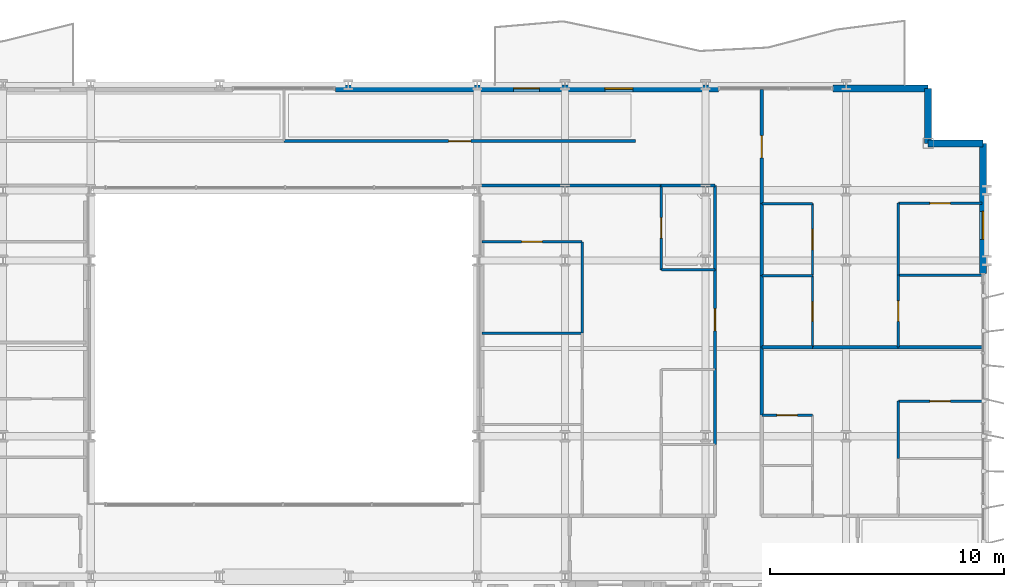
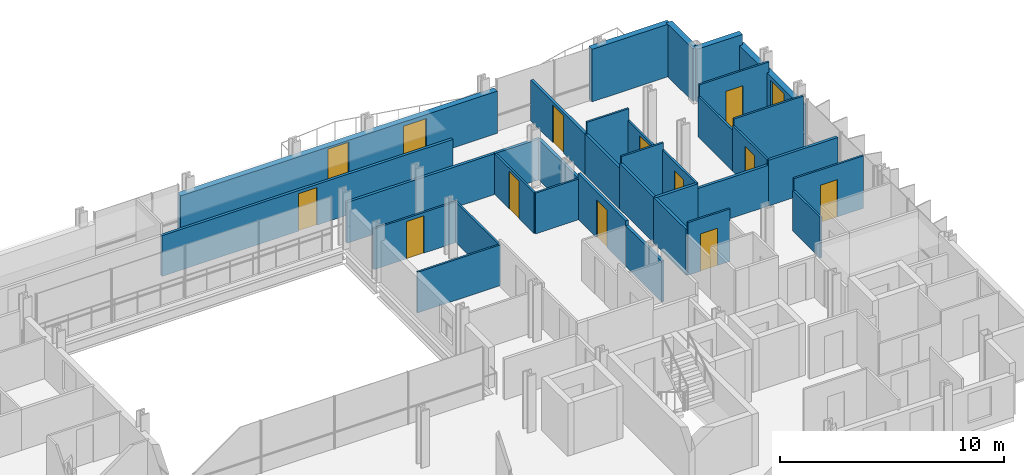
# One storey, part 32 of 38: 34 walls, 12 doors, 2 windows, 14 openings.
"""IFC4 building model written with IfcOpenShell, lengths in metres."""

from ifc_helpers import new_model, si_unit, direction, frame, frame_2d, origin, place, context, subcontext, project, spatial, rectangle, extrude, material, layer, layer_set, type_object, element, fill, save


model = new_model("IFC4")

# Units and contexts
model_context = context("Model", 3, precision=1e-05, world=origin(), true_north=direction((0.0, 1.0)))
body_context = subcontext(model_context, "Body", "Model", "MODEL_VIEW")
ifc_project = project(units=[si_unit("LENGTHUNIT", "METRE"), si_unit("AREAUNIT", "SQUARE_METRE"), si_unit("VOLUMEUNIT", "CUBIC_METRE"), si_unit("PLANEANGLEUNIT", "RADIAN"), si_unit("MASSUNIT", "GRAM", prefix="KILO")], contexts=[model_context])

# Site, building, storey
site_placement = place(None, origin())
site = spatial("IfcSite", under=ifc_project, at=site_placement, CompositionType="ELEMENT")
building_placement = place(site_placement, origin())
building = spatial("IfcBuilding", under=site, at=building_placement, Name="Brevholm Reach", CompositionType="ELEMENT")
storey_placement = place(building_placement, frame((0.0, 0.0, 46.60009765625)))
storey = spatial("IfcBuildingStorey", under=building, at=storey_placement, Name="L12", CompositionType="ELEMENT", Elevation=46.60009765625)

# Walls
ifc_material_1 = material(Name="Concrete C40/50", Category="concrete")
ifc_layer_1 = layer(ifc_material_1, 0.300048828125)
ifc_layer_set_1 = layer_set([ifc_layer_1], Name="Concrete C40/50")
wall_type_1 = type_object("IfcWallType", Name="WAL-EXT-300", PredefinedType="STANDARD", material=ifc_layer_set_1)
for number, where, z_axis, x_axis, name in (
    (1, (59.85009765625, 28.5, 0.0), (0.0, 0.0, 1.0), (-1.0, 0.0, 0.0), "L12 Facade Wall WAL-L12-CNE1"),
    (2, (57.5, 28.5, 0.0), (0.0, 0.0, 1.0), (0.0, 1.0, 0.0), "L12 Facade Wall WAL-L12-CNE2"),
):
    element("IfcWall", number, at=place(storey_placement, frame(where, z_axis=z_axis, x_axis=x_axis)), inside=storey, type_object=wall_type_1, Name=name, PredefinedType="STANDARD", context=body_context, shape_type="SweptSolid", body=[
        extrude(rectangle(XDim=2.35009765625, YDim=0.300048828125, at=frame_2d((1.175048828125, 0.0))), origin(), (0.0, 0.0, 1.0), 2.869873046875),
    ])

# Wall, opening, window
wall_1_placement = place(storey_placement, frame((59.85009765625, 22.949951171875, 0.0), z_axis=(0.0, 0.0, 1.0), x_axis=(0.0, 1.0, 0.0)))
wall_1 = element("IfcWall", 3, at=wall_1_placement, inside=storey, type_object=wall_type_1, Name="L12 Facade Wall WAL-L12-E-N", PredefinedType="STANDARD", context=body_context, shape_type="SweptSolid", body=[
    extrude(rectangle(XDim=5.550048828125, YDim=0.300048828125, at=frame_2d((2.77490234375, 0.0))), origin(), (0.0, 0.0, 1.0), 2.305419921875),
])
opening_1_placement = place(wall_1_placement, frame((1.449951171875, 0.0, 0.486083984375)))
opening_1 = element("IfcOpeningElement", 4, at=opening_1_placement, cuts=wall_1, Name="Opening WN-08", PredefinedType="OPENING", context=body_context, shape_type="SweptSolid", body=[
    extrude(rectangle(XDim=1.199951171875, YDim=1.60009765625, at=frame_2d((0.60009765625, 0.800048828125))), frame((0.0, 0.159912109375, 0.0), z_axis=(0.0, -1.0, 0.0), x_axis=(1.0, 0.0, 0.0)), (0.0, 0.0, 1.0), 0.320068359375),
])
ifc_material_2 = material(Name="Dark Anodised Aluminium and Solar-Control IGU Glass", Category="aluminium")
window_type = type_object("IfcWindowType", Name="WIN-RES-1200", PartitioningType="SINGLE_PANEL", PredefinedType="WINDOW", material=ifc_material_2)
window_1_placement = place(opening_1_placement, origin())
window_1 = element("IfcWindow", 5, at=window_1_placement, inside=storey, type_object=window_type, Name="L12 Window WIN-L12-EN-1", OverallHeight=1.60009765625, OverallWidth=1.199951171875, PartitioningType="SINGLE_PANEL", PredefinedType="WINDOW", context=body_context, shape_type="SweptSolid", body=[
    extrude(rectangle(XDim=1.199951171875, YDim=1.60009765625, at=frame_2d((0.60009765625, 0.800048828125))), frame((0.0, 0.030029296875, 0.0), z_axis=(0.0, -1.0, 0.0), x_axis=(1.0, 0.0, 0.0)), (0.0, 0.0, 1.0), 0.06005859375),
])
fill(opening_1, window_1)

# Wall
wall_2_placement = place(storey_placement, frame((53.449951171875, 30.85009765625, 0.0), z_axis=(0.0, 0.0, 1.0), x_axis=(1.0, 0.0, 0.0)))
element("IfcWall", 6, at=wall_2_placement, inside=storey, type_object=wall_type_1, Name="L12 Facade Wall WAL-L12-NP-E0", PredefinedType="STANDARD", context=body_context, shape_type="SweptSolid", body=[
    extrude(rectangle(XDim=4.050048828125, YDim=0.300048828125, at=frame_2d((2.02490234375, 0.0))), origin(), (0.0, 0.0, 1.0), 2.869873046875),
])

# Wall, openings, door, window
wall_3_placement = place(storey_placement, frame((32.199951171875, 30.85009765625, 0.0), z_axis=(0.0, 0.0, 1.0), x_axis=(1.0, 0.0, 0.0)))
wall_3 = element("IfcWall", 7, at=wall_3_placement, inside=storey, type_object=wall_type_1, Name="L12 Facade Wall WAL-L12-NP-ER", PredefinedType="STANDARD", context=body_context, shape_type="SweptSolid", body=[
    extrude(rectangle(XDim=16.35009765625, YDim=0.300048828125, at=frame_2d((8.175048828125, 0.0))), origin(), (0.0, 0.0, 1.0), 2.305419921875),
])
opening_2_placement = place(wall_3_placement, frame((7.60009765625, 0.0, 0.0)))
opening_2 = element("IfcOpeningElement", 8, at=opening_2_placement, cuts=wall_3, Name="Opening BD-01", PredefinedType="OPENING", context=body_context, shape_type="SweptSolid", body=[
    extrude(rectangle(XDim=1.10009765625, YDim=2.199951171875, at=frame_2d((0.550048828125, 1.10009765625))), frame((0.0, 0.159912109375, 0.0), z_axis=(0.0, -1.0, 0.0), x_axis=(1.0, 0.0, 0.0)), (0.0, 0.0, 1.0), 0.320068359375),
])
opening_3_placement = place(wall_3_placement, frame((11.5, 0.0, 0.486083984375)))
opening_3 = element("IfcOpeningElement", 9, at=opening_3_placement, cuts=wall_3, Name="Opening WN-08", PredefinedType="OPENING", context=body_context, shape_type="SweptSolid", body=[
    extrude(rectangle(XDim=1.199951171875, YDim=1.60009765625, at=frame_2d((0.60009765625, 0.800048828125))), frame((0.0, 0.159912109375, 0.0), z_axis=(0.0, -1.0, 0.0), x_axis=(1.0, 0.0, 0.0)), (0.0, 0.0, 1.0), 0.320068359375),
])
ifc_material_3 = material(Name="Dark Anodised Aluminium and Triple-Glazed Glass", Category="aluminium")
door_type_1 = type_object("IfcDoorType", Name="DOR-BALC-1100", OperationType="NOTDEFINED", PredefinedType="DOOR", material=ifc_material_3)
door_1_placement = place(opening_2_placement, origin())
door_1 = element("IfcDoor", 10, at=door_1_placement, inside=storey, type_object=door_type_1, Name="L12 Exterior Door DOR-L12-BL-NE", OperationType="SINGLE_SWING_RIGHT", OverallHeight=2.199951171875, OverallWidth=1.10009765625, PredefinedType="DOOR", context=body_context, shape_type="SweptSolid", body=[
    extrude(rectangle(XDim=1.10009765625, YDim=2.199951171875, at=frame_2d((0.550048828125, 1.10009765625))), frame((0.0, 0.02490234375, 0.0), z_axis=(0.0, -1.0, 0.0), x_axis=(1.0, 0.0, 0.0)), (0.0, 0.0, 1.0), 0.050048828125),
])
fill(opening_2, door_1)
window_2_placement = place(opening_3_placement, origin())
window_2 = element("IfcWindow", 11, at=window_2_placement, inside=storey, type_object=window_type, Name="L12 Window WIN-L12-NP-ER1", OverallHeight=1.60009765625, OverallWidth=1.199951171875, PartitioningType="SINGLE_PANEL", PredefinedType="WINDOW", context=body_context, shape_type="SweptSolid", body=[
    extrude(rectangle(XDim=1.199951171875, YDim=1.60009765625, at=frame_2d((0.60009765625, 0.800048828125))), frame((0.0, 0.030029296875, 0.0), z_axis=(0.0, -1.0, 0.0), x_axis=(1.0, 0.0, 0.0)), (0.0, 0.0, 1.0), 0.06005859375),
])
fill(opening_3, window_2)

# Wall
ifc_material_4 = material(Name="Moisture-Resistant Acoustic Gypsum Stud Partition 100 mm", Category="gypsum")
ifc_layer_2 = layer(ifc_material_4, 0.10009765625)
ifc_layer_set_2 = layer_set([ifc_layer_2], Name="Moisture-Resistant Acoustic Gypsum Stud Partition 100 mm")
wall_type_2 = type_object("IfcWallType", Name="WAL-PRT-100", PredefinedType="PARTITIONING", material=ifc_layer_set_2)
wall_4_placement = place(storey_placement, frame((46.112060546875, 23.10009765625, 0.0), z_axis=(0.0, 0.0, 1.0), x_axis=(1.0, 0.0, 0.0)))
element("IfcWall", 12, at=wall_4_placement, inside=storey, type_object=wall_type_2, Name="L12 Internal Partition 128", PredefinedType="PARTITIONING", context=body_context, shape_type="SweptSolid", body=[
    extrude(rectangle(XDim=2.283935546875, YDim=0.10009765625, at=frame_2d((1.14208984375, 0.0))), origin(), (0.0, 0.0, 1.0), 2.224609375),
])

# Wall, opening, door
wall_5_placement = place(storey_placement, frame((46.112060546875, 23.10009765625, 0.0), z_axis=(0.0, 0.0, 1.0), x_axis=(0.0, 1.0, 0.0)))
wall_5 = element("IfcWall", 13, at=wall_5_placement, inside=storey, type_object=wall_type_2, Name="L12 Internal Partition 129", PredefinedType="PARTITIONING", context=body_context, shape_type="SweptSolid", body=[
    extrude(rectangle(XDim=3.595947265625, YDim=0.10009765625, at=frame_2d((1.7978515625, 0.0))), origin(), (0.0, 0.0, 1.0), 2.224609375),
])
opening_4_placement = place(wall_5_placement, frame((1.35791015625, 0.0, 0.0)))
opening_4 = element("IfcOpeningElement", 14, at=opening_4_placement, cuts=wall_5, Name="Opening ID-01", PredefinedType="OPENING", context=body_context, shape_type="SweptSolid", body=[
    extrude(rectangle(XDim=0.8798828125, YDim=2.0400390625, at=frame_2d((0.43994140625, 1.02001953125))), frame((0.0, 0.06005859375, 0.0), z_axis=(0.0, -1.0, 0.0), x_axis=(1.0, 0.0, 0.0)), (0.0, 0.0, 1.0), 0.1201171875),
])
ifc_material_5 = material(Name="Lacquered Ash Solid-Core Acoustic Internal Door", Category="timber")
door_type_2 = type_object("IfcDoorType", Name="DOR-INT-880", OperationType="NOTDEFINED", PredefinedType="DOOR", material=ifc_material_5)
door_2_placement = place(opening_4_placement, origin())
door_2 = element("IfcDoor", 15, at=door_2_placement, inside=storey, type_object=door_type_2, Name="L12 Internal Door 048", OperationType="SINGLE_SWING_RIGHT", OverallHeight=2.0400390625, OverallWidth=0.8798828125, PredefinedType="DOOR", context=body_context, shape_type="SweptSolid", body=[
    extrude(rectangle(XDim=0.8798828125, YDim=2.0400390625, at=frame_2d((0.43994140625, 1.02001953125))), frame((0.0, 0.02490234375, 0.0), z_axis=(0.0, -1.0, 0.0), x_axis=(1.0, 0.0, 0.0)), (0.0, 0.0, 1.0), 0.050048828125),
])
fill(opening_4, door_2)

# Walls
wall_6_placement = place(storey_placement, frame((38.449951171875, 20.39990234375, 0.0), z_axis=(0.0, 0.0, 1.0), x_axis=(1.0, 0.0, 0.0)))
element("IfcWall", 16, at=wall_6_placement, inside=storey, type_object=wall_type_2, Name="L12 Internal Partition 132", PredefinedType="PARTITIONING", context=body_context, shape_type="SweptSolid", body=[
    extrude(rectangle(XDim=4.278076171875, YDim=0.10009765625, at=frame_2d((2.13916015625, 0.0))), origin(), (0.0, 0.0, 1.0), 2.224609375),
])
wall_7_placement = place(storey_placement, frame((42.72802734375, 20.404052734375, 0.0), z_axis=(0.0, 0.0, 1.0), x_axis=(0.0, 1.0, 0.0)))
element("IfcWall", 17, at=wall_7_placement, inside=storey, type_object=wall_type_2, Name="L12 Internal Partition 134", PredefinedType="PARTITIONING", context=body_context, shape_type="SweptSolid", body=[
    extrude(rectangle(XDim=3.89599609375, YDim=0.10009765625, at=frame_2d((1.947998046875, 0.0))), origin(), (0.0, 0.0, 1.0), 2.224609375),
])

# Wall, opening, door
wall_8_placement = place(storey_placement, frame((38.449951171875, 24.300048828125, 0.0), z_axis=(0.0, 0.0, 1.0), x_axis=(1.0, 0.0, 0.0)))
wall_8 = element("IfcWall", 18, at=wall_8_placement, inside=storey, type_object=wall_type_2, Name="L12 Internal Partition 135", PredefinedType="PARTITIONING", context=body_context, shape_type="SweptSolid", body=[
    extrude(rectangle(XDim=4.278076171875, YDim=0.10009765625, at=frame_2d((2.13916015625, 0.0))), origin(), (0.0, 0.0, 1.0), 2.224609375),
])
opening_5_placement = place(wall_8_placement, frame((1.698974609375, 0.0, 0.0)))
opening_5 = element("IfcOpeningElement", 19, at=opening_5_placement, cuts=wall_8, Name="Opening ID-01", PredefinedType="OPENING", context=body_context, shape_type="SweptSolid", body=[
    extrude(rectangle(XDim=0.8798828125, YDim=2.0400390625, at=frame_2d((0.43994140625, 1.02001953125))), frame((0.0, 0.06005859375, 0.0), z_axis=(0.0, -1.0, 0.0), x_axis=(1.0, 0.0, 0.0)), (0.0, 0.0, 1.0), 0.1201171875),
])
door_3_placement = place(opening_5_placement, origin())
door_3 = element("IfcDoor", 20, at=door_3_placement, inside=storey, type_object=door_type_2, Name="L12 Internal Door 051", OperationType="SINGLE_SWING_LEFT", OverallHeight=2.0400390625, OverallWidth=0.8798828125, PredefinedType="DOOR", context=body_context, shape_type="SweptSolid", body=[
    extrude(rectangle(XDim=0.8798828125, YDim=2.0400390625, at=frame_2d((0.43994140625, 1.02001953125))), frame((0.0, 0.02490234375, 0.0), z_axis=(0.0, -1.0, 0.0), x_axis=(1.0, 0.0, 0.0)), (0.0, 0.0, 1.0), 0.050048828125),
])
fill(opening_5, door_3)

wall_9_placement = place(storey_placement, frame((50.404052734375, 16.89990234375, 0.0), z_axis=(0.0, 0.0, 1.0), x_axis=(1.0, 0.0, 0.0)))
wall_9 = element("IfcWall", 21, at=wall_9_placement, inside=storey, type_object=wall_type_2, Name="L12 Internal Partition 139", PredefinedType="PARTITIONING", context=body_context, shape_type="SweptSolid", body=[
    extrude(rectangle(XDim=2.157958984375, YDim=0.10009765625, at=frame_2d((1.0791015625, 0.0))), origin(), (0.0, 0.0, 1.0), 2.869873046875),
])
opening_6_placement = place(wall_9_placement, frame((0.638916015625, 0.0, 0.0)))
opening_6 = element("IfcOpeningElement", 22, at=opening_6_placement, cuts=wall_9, Name="Opening ID-01", PredefinedType="OPENING", context=body_context, shape_type="SweptSolid", body=[
    extrude(rectangle(XDim=0.8798828125, YDim=2.0400390625, at=frame_2d((0.43994140625, 1.02001953125))), frame((0.0, 0.06005859375, 0.0), z_axis=(0.0, -1.0, 0.0), x_axis=(1.0, 0.0, 0.0)), (0.0, 0.0, 1.0), 0.1201171875),
])
door_4_placement = place(opening_6_placement, origin())
door_4 = element("IfcDoor", 23, at=door_4_placement, inside=storey, type_object=door_type_2, Name="L12 Internal Door 053", OperationType="SINGLE_SWING_LEFT", OverallHeight=2.0400390625, OverallWidth=0.8798828125, PredefinedType="DOOR", context=body_context, shape_type="SweptSolid", body=[
    extrude(rectangle(XDim=0.8798828125, YDim=2.0400390625, at=frame_2d((0.43994140625, 1.02001953125))), frame((0.0, 0.02490234375, 0.0), z_axis=(0.0, -1.0, 0.0), x_axis=(1.0, 0.0, 0.0)), (0.0, 0.0, 1.0), 0.050048828125),
])
fill(opening_6, door_4)

wall_10_placement = place(storey_placement, frame((56.22802734375, 17.5, 0.0), z_axis=(0.0, 0.0, 1.0), x_axis=(1.0, 0.0, 0.0)))
wall_10 = element("IfcWall", 24, at=wall_10_placement, inside=storey, type_object=wall_type_2, Name="L12 Internal Partition 142", PredefinedType="PARTITIONING", context=body_context, shape_type="SweptSolid", body=[
    extrude(rectangle(XDim=3.572021484375, YDim=0.10009765625, at=frame_2d((1.7861328125, 0.0))), origin(), (0.0, 0.0, 1.0), 2.869873046875),
])
opening_7_placement = place(wall_10_placement, frame((1.345947265625, 0.0, 0.0)))
opening_7 = element("IfcOpeningElement", 25, at=opening_7_placement, cuts=wall_10, Name="Opening ID-01", PredefinedType="OPENING", context=body_context, shape_type="SweptSolid", body=[
    extrude(rectangle(XDim=0.8798828125, YDim=2.0400390625, at=frame_2d((0.43994140625, 1.02001953125))), frame((0.0, 0.06005859375, 0.0), z_axis=(0.0, -1.0, 0.0), x_axis=(1.0, 0.0, 0.0)), (0.0, 0.0, 1.0), 0.1201171875),
])
door_5_placement = place(opening_7_placement, origin())
door_5 = element("IfcDoor", 26, at=door_5_placement, inside=storey, type_object=door_type_2, Name="L12 Internal Door 055", OperationType="SINGLE_SWING_LEFT", OverallHeight=2.0400390625, OverallWidth=0.8798828125, PredefinedType="DOOR", context=body_context, shape_type="SweptSolid", body=[
    extrude(rectangle(XDim=0.8798828125, YDim=2.0400390625, at=frame_2d((0.43994140625, 1.02001953125))), frame((0.0, 0.02490234375, 0.0), z_axis=(0.0, -1.0, 0.0), x_axis=(1.0, 0.0, 0.0)), (0.0, 0.0, 1.0), 0.050048828125),
])
fill(opening_7, door_5)

# Walls
wall_11_placement = place(storey_placement, frame((56.22802734375, 15.053955078125, 0.0), z_axis=(0.0, 0.0, 1.0), x_axis=(0.0, 1.0, 0.0)))
element("IfcWall", 27, at=wall_11_placement, inside=storey, type_object=wall_type_2, Name="L12 Internal Partition 143", PredefinedType="PARTITIONING", context=body_context, shape_type="SweptSolid", body=[
    extrude(rectangle(XDim=2.446044921875, YDim=0.10009765625, at=frame_2d((1.22314453125, 0.0))), origin(), (0.0, 0.0, 1.0), 2.224609375),
])
wall_12_placement = place(storey_placement, frame((50.404052734375, 22.85009765625, 0.0), z_axis=(0.0, 0.0, 1.0), x_axis=(1.0, 0.0, 0.0)))
element("IfcWall", 28, at=wall_12_placement, inside=storey, type_object=wall_type_2, Name="L12 Internal Partition 147", PredefinedType="PARTITIONING", context=body_context, shape_type="SweptSolid", body=[
    extrude(rectangle(XDim=2.157958984375, YDim=0.10009765625, at=frame_2d((1.0791015625, 0.0))), origin(), (0.0, 0.0, 1.0), 2.869873046875),
])

# Wall, opening, door
wall_13_placement = place(storey_placement, frame((52.56201171875, 19.803955078125, 0.0), z_axis=(0.0, 0.0, 1.0), x_axis=(0.0, 1.0, 0.0)))
wall_13 = element("IfcWall", 29, at=wall_13_placement, inside=storey, type_object=wall_type_2, Name="L12 Internal Partition 148", PredefinedType="PARTITIONING", context=body_context, shape_type="SweptSolid", body=[
    extrude(rectangle(XDim=3.046142578125, YDim=0.10009765625, at=frame_2d((1.52294921875, 0.0))), origin(), (0.0, 0.0, 1.0), 2.489990234375),
])
opening_8_placement = place(wall_13_placement, frame((1.113037109375, 0.0, 0.0)))
opening_8 = element("IfcOpeningElement", 30, at=opening_8_placement, cuts=wall_13, Name="Opening ID-03", PredefinedType="OPENING", context=body_context, shape_type="SweptSolid", body=[
    extrude(rectangle(XDim=0.820068359375, YDim=2.02001953125, at=frame_2d((0.41015625, 1.010009765625))), frame((0.0, 0.06005859375, 0.0), z_axis=(0.0, -1.0, 0.0), x_axis=(1.0, 0.0, 0.0)), (0.0, 0.0, 1.0), 0.1201171875),
])
ifc_material_6 = material(Name="Moisture-Resistant Painted Timber Internal Bathroom Door", Category="wood")
door_type_3 = type_object("IfcDoorType", Name="DOR-BATH-820", OperationType="NOTDEFINED", PredefinedType="DOOR", material=ifc_material_6)
door_6_placement = place(opening_8_placement, origin())
door_6 = element("IfcDoor", 31, at=door_6_placement, inside=storey, type_object=door_type_3, Name="L12 Internal Door 056", OperationType="SINGLE_SWING_RIGHT", OverallHeight=2.02001953125, OverallWidth=0.820068359375, PredefinedType="DOOR", context=body_context, shape_type="SweptSolid", body=[
    extrude(rectangle(XDim=0.820068359375, YDim=2.02001953125, at=frame_2d((0.41015625, 1.010009765625))), frame((0.0, 0.02490234375, 0.0), z_axis=(0.0, -1.0, 0.0), x_axis=(1.0, 0.0, 0.0)), (0.0, 0.0, 1.0), 0.050048828125),
])
fill(opening_8, door_6)

wall_14_placement = place(storey_placement, frame((52.56201171875, 22.85400390625, 0.0), z_axis=(0.0, 0.0, 1.0), x_axis=(0.0, 1.0, 0.0)))
wall_14 = element("IfcWall", 32, at=wall_14_placement, inside=storey, type_object=wall_type_2, Name="L12 Internal Partition 149", PredefinedType="PARTITIONING", context=body_context, shape_type="SweptSolid", body=[
    extrude(rectangle(XDim=3.075927734375, YDim=0.10009765625, at=frame_2d((1.5380859375, 0.0))), origin(), (0.0, 0.0, 1.0), 2.224609375),
])
opening_9_placement = place(wall_14_placement, frame((1.097900390625, 0.0, 0.0)))
opening_9 = element("IfcOpeningElement", 33, at=opening_9_placement, cuts=wall_14, Name="Opening ID-01", PredefinedType="OPENING", context=body_context, shape_type="SweptSolid", body=[
    extrude(rectangle(XDim=0.8798828125, YDim=2.0400390625, at=frame_2d((0.43994140625, 1.02001953125))), frame((0.0, 0.06005859375, 0.0), z_axis=(0.0, -1.0, 0.0), x_axis=(1.0, 0.0, 0.0)), (0.0, 0.0, 1.0), 0.1201171875),
])
door_7_placement = place(opening_9_placement, origin())
door_7 = element("IfcDoor", 34, at=door_7_placement, inside=storey, type_object=door_type_2, Name="L12 Internal Door 057", OperationType="SINGLE_SWING_LEFT", OverallHeight=2.0400390625, OverallWidth=0.8798828125, PredefinedType="DOOR", context=body_context, shape_type="SweptSolid", body=[
    extrude(rectangle(XDim=0.8798828125, YDim=2.0400390625, at=frame_2d((0.43994140625, 1.02001953125))), frame((0.0, 0.02490234375, 0.0), z_axis=(0.0, -1.0, 0.0), x_axis=(1.0, 0.0, 0.0)), (0.0, 0.0, 1.0), 0.050048828125),
])
fill(opening_9, door_7)

# Walls
wall_15_placement = place(storey_placement, frame((50.404052734375, 25.929931640625, 0.0), z_axis=(0.0, 0.0, 1.0), x_axis=(1.0, 0.0, 0.0)))
element("IfcWall", 35, at=wall_15_placement, inside=storey, type_object=wall_type_2, Name="L12 Internal Partition 150", PredefinedType="PARTITIONING", context=body_context, shape_type="SweptSolid", body=[
    extrude(rectangle(XDim=2.157958984375, YDim=0.10009765625, at=frame_2d((1.0791015625, 0.0))), origin(), (0.0, 0.0, 1.0), 2.869873046875),
])
wall_16_placement = place(storey_placement, frame((56.22802734375, 22.875, 0.0), z_axis=(0.0, 0.0, 1.0), x_axis=(1.0, 0.0, 0.0)))
element("IfcWall", 36, at=wall_16_placement, inside=storey, type_object=wall_type_2, Name="L12 Internal Partition 151", PredefinedType="PARTITIONING", context=body_context, shape_type="SweptSolid", body=[
    extrude(rectangle(XDim=3.572021484375, YDim=0.10009765625, at=frame_2d((1.7861328125, 0.0))), origin(), (0.0, 0.0, 1.0), 2.869873046875),
])

# Wall, opening, door
wall_17_placement = place(storey_placement, frame((56.22802734375, 19.803955078125, 0.0), z_axis=(0.0, 0.0, 1.0), x_axis=(0.0, 1.0, 0.0)))
wall_17 = element("IfcWall", 37, at=wall_17_placement, inside=storey, type_object=wall_type_2, Name="L12 Internal Partition 152", PredefinedType="PARTITIONING", context=body_context, shape_type="SweptSolid", body=[
    extrude(rectangle(XDim=3.071044921875, YDim=0.10009765625, at=frame_2d((1.53564453125, 0.0))), origin(), (0.0, 0.0, 1.0), 2.489990234375),
])
opening_10_placement = place(wall_17_placement, frame((1.095458984375, 0.0, 0.0)))
opening_10 = element("IfcOpeningElement", 38, at=opening_10_placement, cuts=wall_17, Name="Opening ID-01", PredefinedType="OPENING", context=body_context, shape_type="SweptSolid", body=[
    extrude(rectangle(XDim=0.8798828125, YDim=2.0400390625, at=frame_2d((0.43994140625, 1.02001953125))), frame((0.0, 0.06005859375, 0.0), z_axis=(0.0, -1.0, 0.0), x_axis=(1.0, 0.0, 0.0)), (0.0, 0.0, 1.0), 0.1201171875),
])
door_8_placement = place(opening_10_placement, origin())
door_8 = element("IfcDoor", 39, at=door_8_placement, inside=storey, type_object=door_type_2, Name="L12 Internal Door 058", OperationType="SINGLE_SWING_RIGHT", OverallHeight=2.0400390625, OverallWidth=0.8798828125, PredefinedType="DOOR", context=body_context, shape_type="SweptSolid", body=[
    extrude(rectangle(XDim=0.8798828125, YDim=2.0400390625, at=frame_2d((0.43994140625, 1.02001953125))), frame((0.0, 0.02490234375, 0.0), z_axis=(0.0, -1.0, 0.0), x_axis=(1.0, 0.0, 0.0)), (0.0, 0.0, 1.0), 0.050048828125),
])
fill(opening_10, door_8)

wall_18_placement = place(storey_placement, frame((56.22802734375, 25.949951171875, 0.0), z_axis=(0.0, 0.0, 1.0), x_axis=(1.0, 0.0, 0.0)))
wall_18 = element("IfcWall", 40, at=wall_18_placement, inside=storey, type_object=wall_type_2, Name="L12 Internal Partition 153", PredefinedType="PARTITIONING", context=body_context, shape_type="SweptSolid", body=[
    extrude(rectangle(XDim=3.572021484375, YDim=0.10009765625, at=frame_2d((1.7861328125, 0.0))), origin(), (0.0, 0.0, 1.0), 2.869873046875),
])
opening_11_placement = place(wall_18_placement, frame((1.345947265625, 0.0, 0.0)))
opening_11 = element("IfcOpeningElement", 41, at=opening_11_placement, cuts=wall_18, Name="Opening ID-01", PredefinedType="OPENING", context=body_context, shape_type="SweptSolid", body=[
    extrude(rectangle(XDim=0.8798828125, YDim=2.0400390625, at=frame_2d((0.43994140625, 1.02001953125))), frame((0.0, 0.06005859375, 0.0), z_axis=(0.0, -1.0, 0.0), x_axis=(1.0, 0.0, 0.0)), (0.0, 0.0, 1.0), 0.1201171875),
])
door_9_placement = place(opening_11_placement, origin())
door_9 = element("IfcDoor", 42, at=door_9_placement, inside=storey, type_object=door_type_2, Name="L12 Internal Door 059", OperationType="SINGLE_SWING_LEFT", OverallHeight=2.0400390625, OverallWidth=0.8798828125, PredefinedType="DOOR", context=body_context, shape_type="SweptSolid", body=[
    extrude(rectangle(XDim=0.8798828125, YDim=2.0400390625, at=frame_2d((0.43994140625, 1.02001953125))), frame((0.0, 0.02490234375, 0.0), z_axis=(0.0, -1.0, 0.0), x_axis=(1.0, 0.0, 0.0)), (0.0, 0.0, 1.0), 0.050048828125),
])
fill(opening_11, door_9)

# Walls
wall_19_placement = place(storey_placement, frame((56.22802734375, 22.87890625, 0.0), z_axis=(0.0, 0.0, 1.0), x_axis=(0.0, 1.0, 0.0)))
element("IfcWall", 43, at=wall_19_placement, inside=storey, type_object=wall_type_2, Name="L12 Internal Partition 154", PredefinedType="PARTITIONING", context=body_context, shape_type="SweptSolid", body=[
    extrude(rectangle(XDim=3.071044921875, YDim=0.10009765625, at=frame_2d((1.53564453125, 0.0))), origin(), (0.0, 0.0, 1.0), 2.224609375),
])
ifc_material_7 = material(Name="Twin-Stud Acoustic Fire-Rated Gypsum Partition 140 mm", Category="gypsum")
ifc_layer_3 = layer(ifc_material_7, 0.139892578125)
ifc_layer_set_3 = layer_set([ifc_layer_3], Name="Twin-Stud Acoustic Fire-Rated Gypsum Partition 140 mm")
wall_type_3 = type_object("IfcWallType", Name="WAL-PRT-140", PredefinedType="PARTITIONING", material=ifc_layer_set_3)
wall_20_placement = place(storey_placement, frame((48.39990234375, 15.642578125, 0.0), z_axis=(0.0, 0.0, 1.0), x_axis=(0.0, 1.0, 0.0)))
element("IfcWall", 44, at=wall_20_placement, inside=storey, type_object=wall_type_3, Name="L12 Internal Partition 047", PredefinedType="PARTITIONING", context=body_context, shape_type="SweptSolid", body=[
    extrude(rectangle(XDim=3.21875, YDim=0.139892578125, at=frame_2d((1.609375, 0.0))), origin(), (0.0, 0.0, 1.0), 2.224609375),
])
wall_21_placement = place(storey_placement, frame((48.39990234375, 23.088623046875, 0.0), z_axis=(0.0, 0.0, 1.0), x_axis=(0.0, 1.0, 0.0)))
element("IfcWall", 45, at=wall_21_placement, inside=storey, type_object=wall_type_3, Name="L12 Internal Partition 048", PredefinedType="PARTITIONING", context=body_context, shape_type="SweptSolid", body=[
    extrude(rectangle(XDim=3.61865234375, YDim=0.139892578125, at=frame_2d((1.809326171875, 0.0))), origin(), (0.0, 0.0, 1.0), 2.224609375),
])

# Wall, opening, door
wall_22_placement = place(storey_placement, frame((48.39990234375, 18.8427734375, 0.0), z_axis=(0.0, 0.0, 1.0), x_axis=(0.0, 1.0, 0.0)))
wall_22 = element("IfcWall", 46, at=wall_22_placement, inside=storey, type_object=wall_type_3, Name="L12 Internal Partition 049", PredefinedType="PARTITIONING", context=body_context, shape_type="SweptSolid", body=[
    extrude(rectangle(XDim=4.2646484375, YDim=0.139892578125, at=frame_2d((2.13232421875, 0.0))), origin(), (0.0, 0.0, 1.0), 2.489990234375),
])
opening_12_placement = place(wall_22_placement, frame((1.6572265625, 0.0, 0.0)))
opening_12 = element("IfcOpeningElement", 47, at=opening_12_placement, cuts=wall_22, Name="Opening ID-30", PredefinedType="OPENING", context=body_context, shape_type="SweptSolid", body=[
    extrude(rectangle(XDim=0.949951171875, YDim=2.050048828125, at=frame_2d((0.47509765625, 1.02490234375))), frame((0.0, 0.079833984375, 0.0), z_axis=(0.0, -1.0, 0.0), x_axis=(1.0, 0.0, 0.0)), (0.0, 0.0, 1.0), 0.159912109375),
])
ifc_material_8 = material(Name="European Oak Veneered Solid-Core Fire Entrance Door", Category="timber")
door_type_4 = type_object("IfcDoorType", Name="DOR-FLT-FD30S", OperationType="NOTDEFINED", PredefinedType="DOOR", material=ifc_material_8)
door_10_placement = place(opening_12_placement, origin())
door_10 = element("IfcDoor", 48, at=door_10_placement, inside=storey, type_object=door_type_4, Name="L12 Internal Door 018", OperationType="SINGLE_SWING_RIGHT", OverallHeight=2.050048828125, OverallWidth=0.949951171875, PredefinedType="DOOR", context=body_context, shape_type="SweptSolid", body=[
    extrude(rectangle(XDim=0.949951171875, YDim=2.050048828125, at=frame_2d((0.47509765625, 1.02490234375))), frame((0.0, 0.02490234375, 0.0), z_axis=(0.0, -1.0, 0.0), x_axis=(1.0, 0.0, 0.0)), (0.0, 0.0, 1.0), 0.050048828125),
])
fill(opening_12, door_10)

# Walls
wall_23_placement = place(storey_placement, frame((50.39990234375, 16.892578125, 0.0), z_axis=(0.0, 0.0, 1.0), x_axis=(0.0, 1.0, 0.0)))
element("IfcWall", 49, at=wall_23_placement, inside=storey, type_object=wall_type_3, Name="L12 Internal Partition 052", PredefinedType="PARTITIONING", context=body_context, shape_type="SweptSolid", body=[
    extrude(rectangle(XDim=2.918701171875, YDim=0.139892578125, at=frame_2d((1.45947265625, 0.0))), origin(), (0.0, 0.0, 1.0), 2.489990234375),
])
wall_24_placement = place(storey_placement, frame((50.39990234375, 19.792724609375, 0.0), z_axis=(0.0, 0.0, 1.0), x_axis=(0.0, 1.0, 0.0)))
element("IfcWall", 50, at=wall_24_placement, inside=storey, type_object=wall_type_3, Name="L12 Internal Partition 053", PredefinedType="PARTITIONING", context=body_context, shape_type="SweptSolid", body=[
    extrude(rectangle(XDim=3.068603515625, YDim=0.139892578125, at=frame_2d((1.5341796875, 0.0))), origin(), (0.0, 0.0, 1.0), 2.489990234375),
])
wall_25_placement = place(storey_placement, frame((50.39990234375, 22.8427734375, 0.0), z_axis=(0.0, 0.0, 1.0), x_axis=(0.0, 1.0, 0.0)))
element("IfcWall", 51, at=wall_25_placement, inside=storey, type_object=wall_type_3, Name="L12 Internal Partition 054", PredefinedType="PARTITIONING", context=body_context, shape_type="SweptSolid", body=[
    extrude(rectangle(XDim=3.0986328125, YDim=0.139892578125, at=frame_2d((1.54931640625, 0.0))), origin(), (0.0, 0.0, 1.0), 2.224609375),
])

# Wall, opening, door
wall_26_placement = place(storey_placement, frame((50.39990234375, 25.922607421875, 0.0), z_axis=(0.0, 0.0, 1.0), x_axis=(0.0, 1.0, 0.0)))
wall_26 = element("IfcWall", 52, at=wall_26_placement, inside=storey, type_object=wall_type_3, Name="L12 Internal Partition 055", PredefinedType="PARTITIONING", context=body_context, shape_type="SweptSolid", body=[
    extrude(rectangle(XDim=4.87744140625, YDim=0.139892578125, at=frame_2d((2.438720703125, 0.0))), origin(), (0.0, 0.0, 1.0), 2.224609375),
])
opening_13_placement = place(wall_26_placement, frame((1.963623046875, 0.0, 0.0)))
opening_13 = element("IfcOpeningElement", 53, at=opening_13_placement, cuts=wall_26, Name="Opening ID-30", PredefinedType="OPENING", context=body_context, shape_type="SweptSolid", body=[
    extrude(rectangle(XDim=0.949951171875, YDim=2.050048828125, at=frame_2d((0.47509765625, 1.02490234375))), frame((0.0, 0.079833984375, 0.0), z_axis=(0.0, -1.0, 0.0), x_axis=(1.0, 0.0, 0.0)), (0.0, 0.0, 1.0), 0.159912109375),
])
door_11_placement = place(opening_13_placement, origin())
door_11 = element("IfcDoor", 54, at=door_11_placement, inside=storey, type_object=door_type_4, Name="L12 Internal Door 019", OperationType="SINGLE_SWING_LEFT", OverallHeight=2.050048828125, OverallWidth=0.949951171875, PredefinedType="DOOR", context=body_context, shape_type="SweptSolid", body=[
    extrude(rectangle(XDim=0.949951171875, YDim=2.050048828125, at=frame_2d((0.47509765625, 1.02490234375))), frame((0.0, 0.02490234375, 0.0), z_axis=(0.0, -1.0, 0.0), x_axis=(1.0, 0.0, 0.0)), (0.0, 0.0, 1.0), 0.050048828125),
])
fill(opening_13, door_11)

# Walls
wall_27_placement = place(storey_placement, frame((46.1005859375, 26.699951171875, 0.0), z_axis=(0.0, 0.0, 1.0), x_axis=(1.0, 0.0, 0.0)))
element("IfcWall", 55, at=wall_27_placement, inside=storey, type_object=wall_type_3, Name="L12 Internal Partition 058", PredefinedType="PARTITIONING", context=body_context, shape_type="SweptSolid", body=[
    extrude(rectangle(XDim=2.29541015625, YDim=0.139892578125, at=frame_2d((1.147705078125, 0.0))), origin(), (0.0, 0.0, 1.0), 2.224609375),
])
wall_28_placement = place(storey_placement, frame((38.438720703125, 26.699951171875, 0.0), z_axis=(0.0, 0.0, 1.0), x_axis=(1.0, 0.0, 0.0)))
element("IfcWall", 56, at=wall_28_placement, inside=storey, type_object=wall_type_3, Name="L12 Internal Partition 059", PredefinedType="PARTITIONING", context=body_context, shape_type="SweptSolid", body=[
    extrude(rectangle(XDim=7.6806640625, YDim=0.139892578125, at=frame_2d((3.84033203125, 0.0))), origin(), (0.0, 0.0, 1.0), 2.224609375),
])

# Wall, opening, door
wall_29_placement = place(storey_placement, frame((29.99267578125, 28.60009765625, 0.0), z_axis=(0.0, 0.0, 1.0), x_axis=(1.0, 0.0, 0.0)))
wall_29 = element("IfcWall", 57, at=wall_29_placement, inside=storey, type_object=wall_type_3, Name="L12 Internal Partition 061", PredefinedType="PARTITIONING", context=body_context, shape_type="SweptSolid", body=[
    extrude(rectangle(XDim=15.0185546875, YDim=0.139892578125, at=frame_2d((7.50927734375, 0.0))), origin(), (0.0, 0.0, 1.0), 2.224609375),
])
opening_14_placement = place(wall_29_placement, frame((7.0341796875, 0.0, 0.0)))
opening_14 = element("IfcOpeningElement", 58, at=opening_14_placement, cuts=wall_29, Name="Opening ID-30", PredefinedType="OPENING", context=body_context, shape_type="SweptSolid", body=[
    extrude(rectangle(XDim=0.949951171875, YDim=2.050048828125, at=frame_2d((0.47509765625, 1.02490234375))), frame((0.0, 0.079833984375, 0.0), z_axis=(0.0, -1.0, 0.0), x_axis=(1.0, 0.0, 0.0)), (0.0, 0.0, 1.0), 0.159912109375),
])
door_12_placement = place(opening_14_placement, origin())
door_12 = element("IfcDoor", 59, at=door_12_placement, inside=storey, type_object=door_type_4, Name="L12 Internal Door 021", OperationType="SINGLE_SWING_LEFT", OverallHeight=2.050048828125, OverallWidth=0.949951171875, PredefinedType="DOOR", context=body_context, shape_type="SweptSolid", body=[
    extrude(rectangle(XDim=0.949951171875, YDim=2.050048828125, at=frame_2d((0.47509765625, 1.02490234375))), frame((0.0, 0.02490234375, 0.0), z_axis=(0.0, -1.0, 0.0), x_axis=(1.0, 0.0, 0.0)), (0.0, 0.0, 1.0), 0.050048828125),
])
fill(opening_14, door_12)

# Walls
wall_30_placement = place(storey_placement, frame((50.404052734375, 19.800048828125, 0.0), z_axis=(0.0, 0.0, 1.0), x_axis=(1.0, 0.0, 0.0)))
element("IfcWall", 60, at=wall_30_placement, inside=storey, type_object=wall_type_3, Name="L12 Internal Partition 144", PredefinedType="PARTITIONING", context=body_context, shape_type="SweptSolid", body=[
    extrude(rectangle(XDim=2.169189453125, YDim=0.139892578125, at=frame_2d((1.08447265625, 0.0))), origin(), (0.0, 0.0, 1.0), 2.489990234375),
])
wall_31_placement = place(storey_placement, frame((56.216796875, 19.800048828125, 0.0), z_axis=(0.0, 0.0, 1.0), x_axis=(1.0, 0.0, 0.0)))
element("IfcWall", 61, at=wall_31_placement, inside=storey, type_object=wall_type_3, Name="L12 Internal Partition 145", PredefinedType="PARTITIONING", context=body_context, shape_type="SweptSolid", body=[
    extrude(rectangle(XDim=3.583251953125, YDim=0.139892578125, at=frame_2d((1.79150390625, 0.0))), origin(), (0.0, 0.0, 1.0), 2.489990234375),
])
wall_32_placement = place(storey_placement, frame((52.5546875, 19.800048828125, 0.0), z_axis=(0.0, 0.0, 1.0), x_axis=(1.0, 0.0, 0.0)))
element("IfcWall", 62, at=wall_32_placement, inside=storey, type_object=wall_type_3, Name="L12 Internal Partition 146", PredefinedType="PARTITIONING", context=body_context, shape_type="SweptSolid", body=[
    extrude(rectangle(XDim=3.6806640625, YDim=0.139892578125, at=frame_2d((1.84033203125, 0.0))), origin(), (0.0, 0.0, 1.0), 2.224609375),
])

save(model, "model.ifc")
